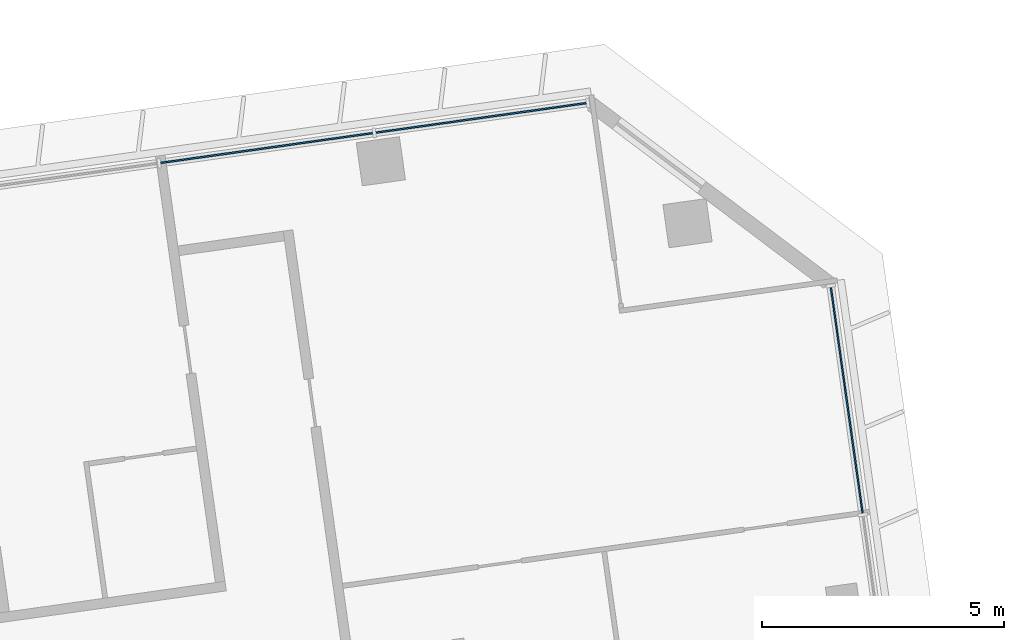
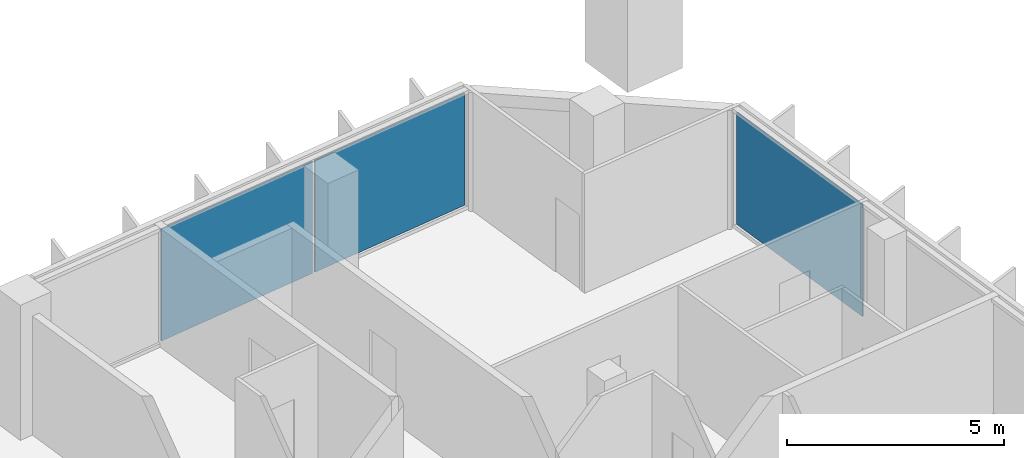
# One storey, part 14 of 26: 3 plates, 2 elements without a shape of their own.
"""IFC4 building model written with IfcOpenShell, lengths in metres."""

from ifc_helpers import new_model, si_unit, direction, frame, origin, origin_2d, place, context, subcontext, project, spatial, rectangle, extrude, material, layer, layer_set, type_object, element, aggregate, save


model = new_model("IFC4")

# Units and contexts
model_context = context("Model", 3, precision=1e-05, world=origin(), true_north=direction((0.0, 1.0)))
body_context = subcontext(model_context, "Body", "Model", "MODEL_VIEW")
ifc_project = project(units=[si_unit("LENGTHUNIT", "METRE"), si_unit("AREAUNIT", "SQUARE_METRE"), si_unit("VOLUMEUNIT", "CUBIC_METRE"), si_unit("PLANEANGLEUNIT", "RADIAN"), si_unit("MASSUNIT", "GRAM", prefix="KILO")], contexts=[model_context])

# Site, building, storey
site_placement = place(None, origin())
site = spatial("IfcSite", under=ifc_project, at=site_placement, CompositionType="ELEMENT")
building_placement = place(site_placement, origin())
building = spatial("IfcBuilding", under=site, at=building_placement, Name="Mirante Cascada Hotel Towers", CompositionType="ELEMENT")
storey_placement = place(building_placement, frame((0.0, 0.0, 144.3)))
storey = spatial("IfcBuildingStorey", under=building, at=storey_placement, Name="L33", CompositionType="ELEMENT", Elevation=144.3)

# Curtain wall, plates
ifc_material_1 = material(Name="Aluminium mullion and transom frame with clear laminated glass", Category="aluminium")
curtain_wall_type_1 = type_object("IfcCurtainWallType", Name="Ribbon curtain wall ECW1", PredefinedType="NOTDEFINED", material=ifc_material_1)
curtain_wall_1_placement = place(storey_placement, origin())
curtain_wall_1 = element("IfcCurtainWall", 1, at=curtain_wall_1_placement, inside=storey, type_object=curtain_wall_type_1, Name="Front ribbon wall T2 L33", PredefinedType="NOTDEFINED")
ifc_material_2 = material(Name="Clear laminated glass", Category="glass")
ifc_layer_1 = layer(ifc_material_2, 0.036)
ifc_layer_set_1 = layer_set([ifc_layer_1], Name="ECW1 glass panel 36")
plate_type_1 = type_object("IfcPlateType", Name="ECW1 glass panel 36", PredefinedType="CURTAIN_PANEL", material=ifc_layer_set_1)
plate_1_placement = place(storey_placement, frame((91.9184, 25.7373, 0.1), z_axis=(0.0, 0.0, 1.0), x_axis=(-0.9902681, -0.1391731, 0.0)))
plate_1 = element("IfcPlate", 2, at=plate_1_placement, type_object=plate_type_1, Name="ECW1 panel 1", PredefinedType="CURTAIN_PANEL", context=body_context, shape_type="SweptSolid", body=[
    extrude(rectangle(XDim=4.3936, YDim=0.036, at=origin_2d()), origin(), (0.0, 0.0, 1.0), 3.15),
])
plate_2_placement = place(storey_placement, frame((87.487, 25.1145, 0.1), z_axis=(0.0, 0.0, 1.0), x_axis=(-0.9902681, -0.1391731, 0.0)))
plate_2 = element("IfcPlate", 3, at=plate_2_placement, type_object=plate_type_1, Name="ECW1 panel 2", PredefinedType="CURTAIN_PANEL", context=body_context, shape_type="SweptSolid", body=[
    extrude(rectangle(XDim=4.4261, YDim=0.036, at=origin_2d()), origin(), (0.0, 0.0, 1.0), 3.15),
])
aggregate(curtain_wall_1, [plate_1, plate_2])

# Curtain wall, plate
ifc_material_3 = material(Name="Aluminium mullion and transom frame with clear laminated glass", Category="aluminium")
curtain_wall_type_2 = type_object("IfcCurtainWallType", Name="End ribbon curtain wall ECW2", PredefinedType="NOTDEFINED", material=ifc_material_3)
curtain_wall_2_placement = place(storey_placement, origin())
curtain_wall_2 = element("IfcCurtainWall", 4, at=curtain_wall_2_placement, inside=storey, type_object=curtain_wall_type_2, Name="Outer end wall T2 L33", PredefinedType="NOTDEFINED")
ifc_material_4 = material(Name="Clear laminated glass", Category="glass")
ifc_layer_2 = layer(ifc_material_4, 0.034)
ifc_layer_set_2 = layer_set([ifc_layer_2], Name="ECW2 glass panel 34")
plate_type_2 = type_object("IfcPlateType", Name="ECW2 glass panel 34", PredefinedType="CURTAIN_PANEL", material=ifc_layer_set_2)
plate_3_placement = place(storey_placement, frame((99.4786, 19.898, 0.1), z_axis=(0.0, 0.0, 1.0), x_axis=(-0.1391731, 0.9902681, 0.0)))
plate_3 = element("IfcPlate", 5, at=plate_3_placement, type_object=plate_type_2, Name="ECW2 panel 6", PredefinedType="CURTAIN_PANEL", context=body_context, shape_type="SweptSolid", body=[
    extrude(rectangle(XDim=4.7151, YDim=0.034, at=origin_2d()), origin(), (0.0, 0.0, 1.0), 3.15),
])
aggregate(curtain_wall_2, [plate_3])

save(model, "model.ifc")
